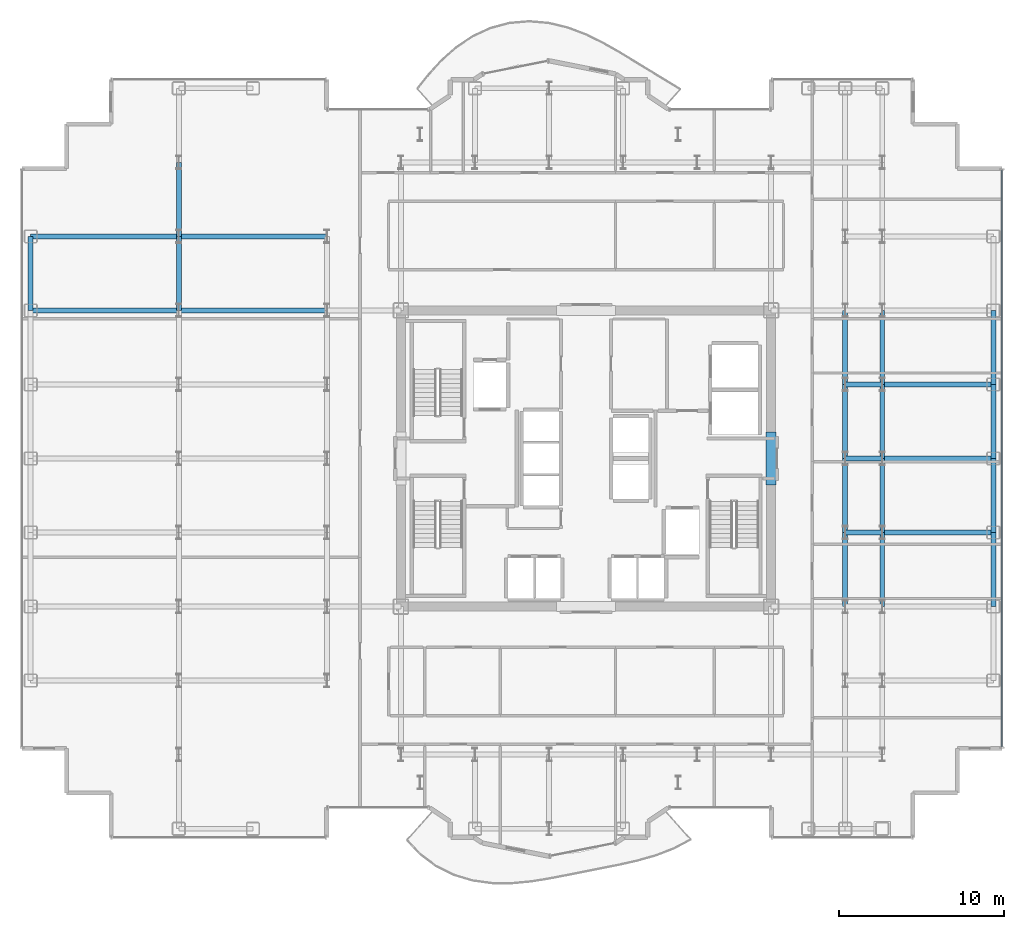
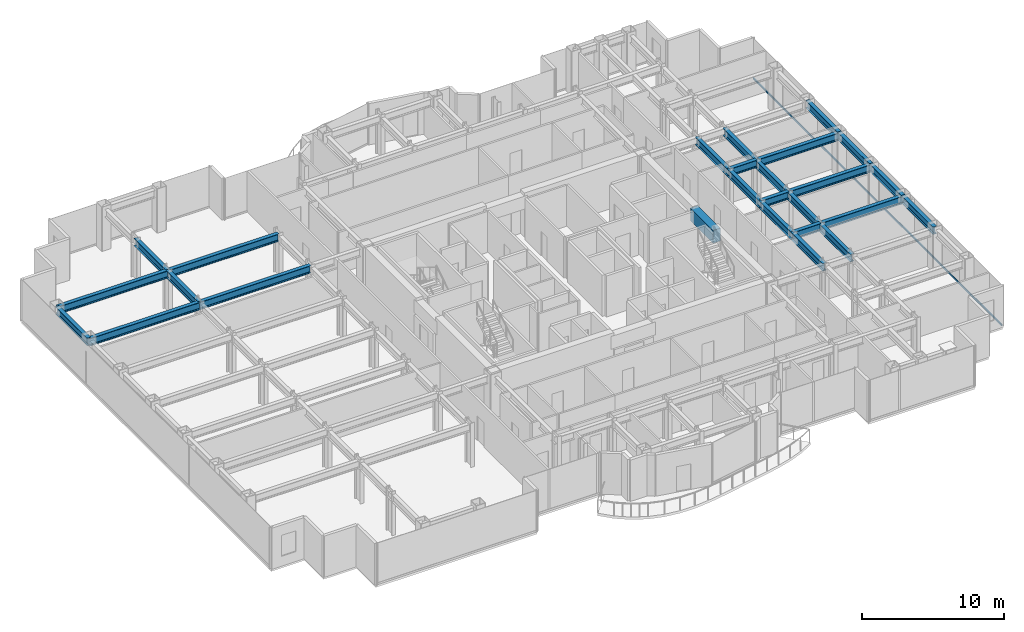
# One storey, part 9 of 22: 26 beams, 1 member, 1 element without a shape of its own.
"""IFC4 building model written with IfcOpenShell, lengths in metres."""

from ifc_helpers import new_model, si_unit, direction, frame, origin, origin_2d, place, context, subcontext, project, spatial, rectangle, hollow_rectangle, i_section, extrude, source, transform, mapped, material, layer, layer_set, material_profile, profile_set, type_object, element, aggregate, save


model = new_model("IFC4")

# Units and contexts
model_context = context("Model", 3, precision=1e-05, world=origin(), true_north=direction((0.0, 1.0)))
body_context = subcontext(model_context, "Body", "Model", "MODEL_VIEW")
ifc_project = project(units=[si_unit("LENGTHUNIT", "METRE"), si_unit("AREAUNIT", "SQUARE_METRE"), si_unit("VOLUMEUNIT", "CUBIC_METRE"), si_unit("PLANEANGLEUNIT", "RADIAN"), si_unit("MASSUNIT", "GRAM", prefix="KILO")], contexts=[model_context])

# Site, building, storey
site_placement = place(None, origin())
site = spatial("IfcSite", under=ifc_project, at=site_placement, CompositionType="ELEMENT")
building_placement = place(site_placement, origin())
building = spatial("IfcBuilding", under=site, at=building_placement, Name="Nefas-Gora Pilgrimage Tower", CompositionType="ELEMENT")
storey_placement = place(building_placement, frame((0.0, 0.0, 179.199951171875)))
storey = spatial("IfcBuildingStorey", under=building, at=storey_placement, Name="L44", CompositionType="ELEMENT", Elevation=179.199951171875)

# Beams
ifc_material_1 = material(Name="Concrete C60/75", Category="concrete")
ifc_material_profile_1 = material_profile(ifc_material_1, rectangle(XDim=0.60009765625, YDim=1.10009765625, at=origin_2d()), Name="RC 600x1100")
ifc_profile_set_1 = profile_set([ifc_material_profile_1], Name="Concrete C60/75")
beam_type_1 = type_object("IfcBeamType", Name="BM-LIN-RC1100", PredefinedType="LINTEL", material=ifc_profile_set_1)
shared_shape_1 = source(origin(), body_context, "Body", "SweptSolid", [
    extrude(rectangle(XDim=0.60009765625, YDim=1.10009765625, at=origin_2d()), origin(), (0.0, 0.0, 1.0), 3.2001953125),
])
beam_placement = place(storey_placement, frame((11.25, -1.60009765625, 3.0), z_axis=(0.0, 1.0, 0.0), x_axis=(-1.0, 0.0, 0.0)))
element("IfcBeam", 1, at=beam_placement, inside=storey, type_object=beam_type_1, Name="L44 Core Coupling Lintel Beam E", PredefinedType="LINTEL", context=body_context, shape_type="MappedRepresentation", body=[
    mapped(shared_shape_1, transform((0.0, 0.0, 0.0), x_axis=(1.0, 0.0, 0.0), y_axis=(0.0, 1.0, 0.0), z_axis=(0.0, 0.0, 1.0), scale=1.0)),
])
ifc_material_2 = material(Name="Steel S355", Category="steel")
ifc_material_profile_2 = material_profile(ifc_material_2, i_section(OverallWidth=0.300048828125, OverallDepth=0.64990234375, WebThickness=0.01611328125, FlangeThickness=0.031005859375, FilletRadius=0.027099609375, at=origin_2d()), Name="HEB 650")
ifc_profile_set_2 = profile_set([ifc_material_profile_2], Name="Steel S355")
beam_type_2 = type_object("IfcBeamType", Name="BM-SPN-HEB500", PredefinedType="SPANDREL", material=ifc_profile_set_2)
shared_shape_2 = source(origin(), body_context, "Body", "SweptSolid", [
    extrude(i_section(OverallWidth=0.300048828125, OverallDepth=0.64990234375, WebThickness=0.01611328125, FlangeThickness=0.031005859375, FilletRadius=0.027099609375, at=origin_2d()), origin(), (0.0, 0.0, 1.0), 4.5),
])
for number, where, z_axis, x_axis, name in (
    (2, (-33.75, 9.0, 3.22509765625), (0.0, 1.0, 0.0), (-1.0, 0.0, 0.0), "L44 SP-02 beam"),
    (3, (24.75, -9.0, 3.22509765625), (0.0, 1.0, 0.0), (-1.0, 0.0, 0.0), "L44 SP-02 beam"),
    (4, (24.75, -4.5, 3.22509765625), (0.0, 1.0, 0.0), (-1.0, 0.0, 0.0), "L44 SP-02 beam"),
    (5, (24.75, 0.0, 3.22509765625), (0.0, 1.0, 0.0), (-1.0, 0.0, 0.0), "L44 SP-02 beam"),
    (6, (24.75, 4.5, 3.22509765625), (0.0, 1.0, 0.0), (-1.0, 0.0, 0.0), "L44 SP-02 beam"),
):
    element("IfcBeam", number, at=place(storey_placement, frame(where, z_axis=z_axis, x_axis=x_axis)), inside=storey, type_object=beam_type_2, Name=name, PredefinedType="SPANDREL", context=body_context, shape_type="MappedRepresentation", body=[
        mapped(shared_shape_2, transform((0.0, 0.0, 0.0), x_axis=(1.0, 0.0, 0.0), y_axis=(0.0, 1.0, 0.0), z_axis=(0.0, 0.0, 1.0), scale=1.0)),
    ])
ifc_material_profile_3 = material_profile(ifc_material_2, i_section(OverallWidth=0.300048828125, OverallDepth=0.64990234375, WebThickness=0.01611328125, FlangeThickness=0.031005859375, FilletRadius=0.027099609375, at=origin_2d()), Name="HEB 650")
ifc_profile_set_3 = profile_set([ifc_material_profile_3], Name="Steel S355")
beam_type_3 = type_object("IfcBeamType", Name="BM-GIR-HEB650", PredefinedType="BEAM", material=ifc_profile_set_3)
shared_shape_3 = source(origin(), body_context, "Body", "SweptSolid", [
    extrude(i_section(OverallWidth=0.300048828125, OverallDepth=0.64990234375, WebThickness=0.01611328125, FlangeThickness=0.031005859375, FilletRadius=0.027099609375, at=origin_2d()), origin(), (0.0, 0.0, 1.0), 9.0),
])
for number, where, z_axis, x_axis, name in (
    (7, (-33.75, 9.0, 3.22509765625), (1.0, 0.0, 0.0), (0.0, 1.0, 0.0), "L44 G-03 beam"),
    (8, (-33.75, 13.5, 3.22509765625), (1.0, 0.0, 0.0), (0.0, 1.0, 0.0), "L44 G-03 beam"),
    (9, (-24.75, 9.0, 3.22509765625), (1.0, 0.0, 0.0), (0.0, 1.0, 0.0), "L44 G-03 beam"),
    (10, (-24.75, 13.5, 3.22509765625), (1.0, 0.0, 0.0), (0.0, 1.0, 0.0), "L44 G-03 beam"),
):
    element("IfcBeam", number, at=place(storey_placement, frame(where, z_axis=z_axis, x_axis=x_axis)), inside=storey, type_object=beam_type_3, Name=name, PredefinedType="BEAM", context=body_context, shape_type="MappedRepresentation", body=[
        mapped(shared_shape_3, transform((0.0, 0.0, 0.0), x_axis=(1.0, 0.0, 0.0), y_axis=(0.0, 1.0, 0.0), z_axis=(0.0, 0.0, 1.0), scale=1.0)),
    ])
shared_shape_4 = source(origin(), body_context, "Body", "SweptSolid", [
    extrude(i_section(OverallWidth=0.300048828125, OverallDepth=0.64990234375, WebThickness=0.01611328125, FlangeThickness=0.031005859375, FilletRadius=0.027099609375, at=origin_2d()), origin(), (0.0, 0.0, 1.0), 4.5),
])
for number, where, z_axis, x_axis, name in (
    (11, (-24.75, 9.0, 3.22509765625), (0.0, 1.0, 0.0), (-1.0, 0.0, 0.0), "L44 G-03 beam"),
    (12, (-24.75, 13.5, 3.22509765625), (0.0, 1.0, 0.0), (-1.0, 0.0, 0.0), "L44 G-03 beam"),
    (13, (15.75, -9.0, 3.22509765625), (0.0, 1.0, 0.0), (-1.0, 0.0, 0.0), "L44 G-03 beam"),
    (14, (15.75, -4.5, 3.22509765625), (0.0, 1.0, 0.0), (-1.0, 0.0, 0.0), "L44 G-03 beam"),
    (15, (15.75, 0.0, 3.22509765625), (0.0, 1.0, 0.0), (-1.0, 0.0, 0.0), "L44 G-03 beam"),
    (16, (15.75, 4.5, 3.22509765625), (0.0, 1.0, 0.0), (-1.0, 0.0, 0.0), "L44 G-03 beam"),
    (17, (18.0, -9.0, 3.22509765625), (0.0, 1.0, 0.0), (-1.0, 0.0, 0.0), "L44 G-03 beam"),
    (18, (18.0, -4.5, 3.22509765625), (0.0, 1.0, 0.0), (-1.0, 0.0, 0.0), "L44 G-03 beam"),
    (19, (18.0, 0.0, 3.22509765625), (0.0, 1.0, 0.0), (-1.0, 0.0, 0.0), "L44 G-03 beam"),
    (20, (18.0, 4.5, 3.22509765625), (0.0, 1.0, 0.0), (-1.0, 0.0, 0.0), "L44 G-03 beam"),
):
    element("IfcBeam", number, at=place(storey_placement, frame(where, z_axis=z_axis, x_axis=x_axis)), inside=storey, type_object=beam_type_3, Name=name, PredefinedType="BEAM", context=body_context, shape_type="MappedRepresentation", body=[
        mapped(shared_shape_4, transform((0.0, 0.0, 0.0), x_axis=(1.0, 0.0, 0.0), y_axis=(0.0, 1.0, 0.0), z_axis=(0.0, 0.0, 1.0), scale=1.0)),
    ])
shared_shape_5 = source(origin(), body_context, "Body", "SweptSolid", [
    extrude(i_section(OverallWidth=0.300048828125, OverallDepth=0.64990234375, WebThickness=0.01611328125, FlangeThickness=0.031005859375, FilletRadius=0.027099609375, at=origin_2d()), origin(), (0.0, 0.0, 1.0), 6.75),
])
for number, where, z_axis, x_axis, name in (
    (21, (18.0, -4.5, 3.22509765625), (1.0, 0.0, 0.0), (0.0, 1.0, 0.0), "L44 G-03 beam"),
    (22, (18.0, 0.0, 3.22509765625), (1.0, 0.0, 0.0), (0.0, 1.0, 0.0), "L44 G-03 beam"),
    (23, (18.0, 4.5, 3.22509765625), (1.0, 0.0, 0.0), (0.0, 1.0, 0.0), "L44 G-03 beam"),
):
    element("IfcBeam", number, at=place(storey_placement, frame(where, z_axis=z_axis, x_axis=x_axis)), inside=storey, type_object=beam_type_3, Name=name, PredefinedType="BEAM", context=body_context, shape_type="MappedRepresentation", body=[
        mapped(shared_shape_5, transform((0.0, 0.0, 0.0), x_axis=(1.0, 0.0, 0.0), y_axis=(0.0, 1.0, 0.0), z_axis=(0.0, 0.0, 1.0), scale=1.0)),
    ])
shared_shape_6 = source(origin(), body_context, "Body", "SweptSolid", [
    extrude(i_section(OverallWidth=0.300048828125, OverallDepth=0.64990234375, WebThickness=0.01611328125, FlangeThickness=0.031005859375, FilletRadius=0.027099609375, at=origin_2d()), origin(), (0.0, 0.0, 1.0), 2.25),
])
for number, where, z_axis, x_axis, name in (
    (24, (15.75, -4.5, 3.22509765625), (1.0, 0.0, 0.0), (0.0, 1.0, 0.0), "L44 G-03 beam"),
    (25, (15.75, 0.0, 3.22509765625), (1.0, 0.0, 0.0), (0.0, 1.0, 0.0), "L44 G-03 beam"),
    (26, (15.75, 4.5, 3.22509765625), (1.0, 0.0, 0.0), (0.0, 1.0, 0.0), "L44 G-03 beam"),
):
    element("IfcBeam", number, at=place(storey_placement, frame(where, z_axis=z_axis, x_axis=x_axis)), inside=storey, type_object=beam_type_3, Name=name, PredefinedType="BEAM", context=body_context, shape_type="MappedRepresentation", body=[
        mapped(shared_shape_6, transform((0.0, 0.0, 0.0), x_axis=(1.0, 0.0, 0.0), y_axis=(0.0, 1.0, 0.0), z_axis=(0.0, 0.0, 1.0), scale=1.0)),
    ])

# Curtain wall, member
ifc_material_3 = material(Name="Dark ceramic-fritted solar-control aluminium-glass curtain wall", Category="aluminium")
ifc_layer = layer(ifc_material_3, 0.219970703125)
ifc_layer_set = layer_set([ifc_layer], Name="Dark ceramic-fritted solar-control aluminium-glass curtain wall")
curtain_wall_type = type_object("IfcCurtainWallType", Name="CW-SYS-3", PredefinedType="NOTDEFINED", material=ifc_layer_set)
curtain_wall_placement = place(storey_placement, origin())
curtain_wall = element("IfcCurtainWall", 27, at=curtain_wall_placement, inside=storey, type_object=curtain_wall_type, Name="L44 Unitised Curtain Wall CW3", PredefinedType="NOTDEFINED")
ifc_material_4 = material(Name="Anodised architectural aluminium", Category="aluminium")
ifc_material_profile_4 = material_profile(ifc_material_4, hollow_rectangle(XDim=0.080078125, YDim=0.159912109375, WallThickness=0.00439453125, InnerFilletRadius=0.00439453125, OuterFilletRadius=0.009033203125, at=origin_2d()), Name="ALU TRANSOM 80x160")
ifc_profile_set_4 = profile_set([ifc_material_profile_4], Name="Anodised architectural aluminium")
member_type = type_object("IfcMemberType", Name="CWM-TRN-3", PredefinedType="USERDEFINED", material=ifc_profile_set_4)
shared_shape_7 = source(origin(), body_context, "Body", "SweptSolid", [
    extrude(hollow_rectangle(XDim=0.080078125, YDim=0.159912109375, WallThickness=0.00439453125, InnerFilletRadius=0.00439453125, OuterFilletRadius=0.009033203125, at=origin_2d()), origin(), (0.0, 0.0, 1.0), 35.06005859375),
])
member_placement = place(storey_placement, frame((25.27001953125, -17.530029296875, 0.050048828125), z_axis=(0.0, 1.0, 0.0), x_axis=(-1.0, 0.0, 0.0)))
member = element("IfcMember", 28, at=member_placement, type_object=member_type, Name="CW3 Spandrel Transom", ObjectType="TRANSOM", PredefinedType="USERDEFINED", context=body_context, shape_type="MappedRepresentation", body=[
    mapped(shared_shape_7, transform((0.0, 0.0, 0.0), x_axis=(1.0, 0.0, 0.0), y_axis=(0.0, 1.0, 0.0), z_axis=(0.0, 0.0, 1.0), scale=1.0)),
])
aggregate(curtain_wall, [member])

save(model, "model.ifc")
